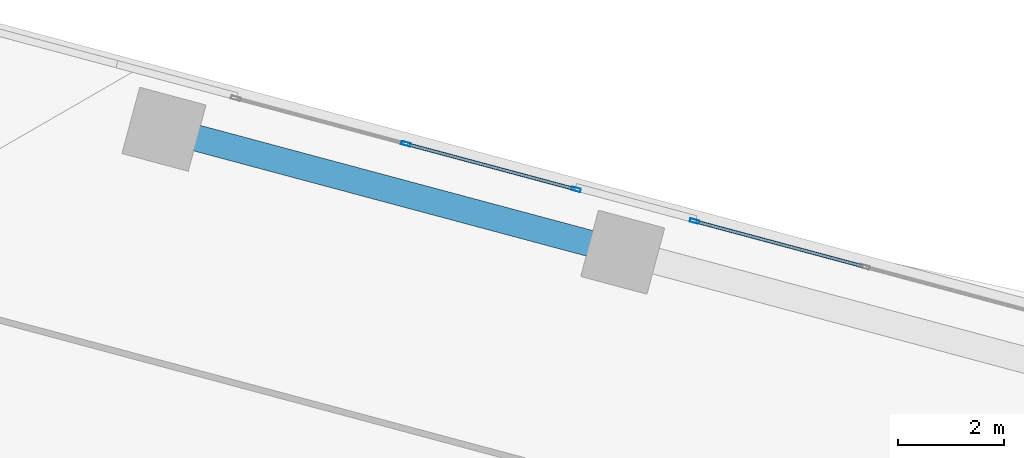
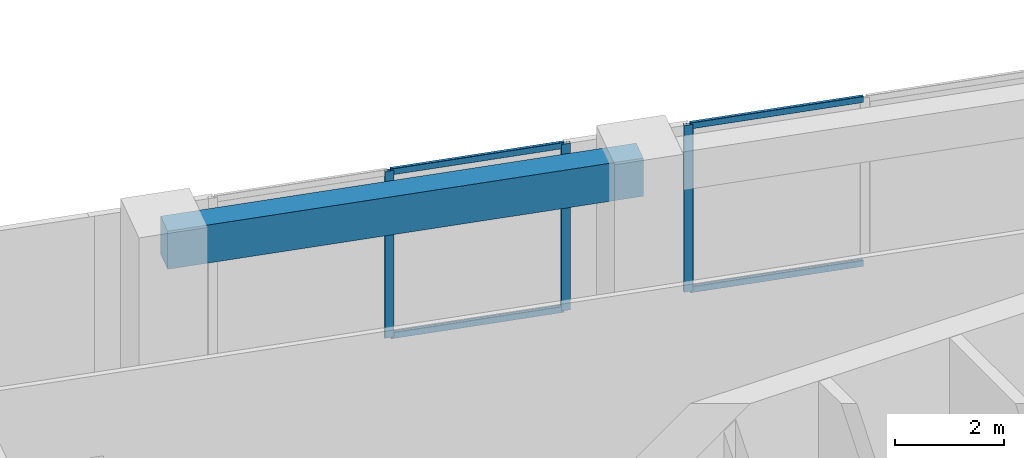
# One storey, part 13 of 26: 7 members, 1 beam, 2 elements without a shape of their own.
"""IFC4 building model written with IfcOpenShell, lengths in metres."""

from ifc_helpers import new_model, si_unit, direction, frame, origin, origin_2d, place, context, subcontext, project, spatial, rectangle, hollow_rectangle, extrude, source, transform, mapped, material, material_profile, profile_set, type_object, element, aggregate, save


model = new_model("IFC4")

# Units and contexts
model_context = context("Model", 3, precision=1e-05, world=origin(), true_north=direction((0.0, 1.0)))
body_context = subcontext(model_context, "Body", "Model", "MODEL_VIEW")
ifc_project = project(units=[si_unit("LENGTHUNIT", "METRE"), si_unit("AREAUNIT", "SQUARE_METRE"), si_unit("VOLUMEUNIT", "CUBIC_METRE"), si_unit("PLANEANGLEUNIT", "RADIAN"), si_unit("MASSUNIT", "GRAM", prefix="KILO")], contexts=[model_context])

# Site, building, storey
site_placement = place(None, origin())
site = spatial("IfcSite", under=ifc_project, at=site_placement, CompositionType="ELEMENT")
building_placement = place(site_placement, origin())
building = spatial("IfcBuilding", under=site, at=building_placement, Name="Torre Montelarca", CompositionType="ELEMENT")
storey_placement = place(building_placement, frame((0.0, 0.0, 100.0)))
storey = spatial("IfcBuildingStorey", under=building, at=storey_placement, Name="L22", CompositionType="ELEMENT", Elevation=100.0)

# Beam
ifc_material_1 = material(Name="Concrete C55/67", Category="concrete")
ifc_material_profile_1 = material_profile(ifc_material_1, rectangle(XDim=0.5, YDim=0.85009765625, at=origin_2d()), Name="RCB500X850", Category="concrete")
ifc_profile_set_1 = profile_set([ifc_material_profile_1], Name="Concrete C55/67")
beam_type = type_object("IfcBeamType", Name="BM-SP-RC850-EXT", PredefinedType="SPANDREL", material=ifc_profile_set_1)
shared_shape_1 = source(origin(), body_context, "Body", "SweptSolid", [
    extrude(rectangle(XDim=0.5, YDim=0.85009765625, at=origin_2d()), origin(), (0.0, 0.0, 1.0), 9.0),
])
beam_placement = place(storey_placement, frame((13.346923828125, 49.868896484375, 3.534912109375), z_axis=(0.965926740751, -0.25881563226, 0.0), x_axis=(0.25881563226, 0.965926740751, 0.0)))
element("IfcBeam", 1, at=beam_placement, inside=storey, type_object=beam_type, Name="L22 Grid Girder X 9.0-18.0 at Y=47.1", PredefinedType="SPANDREL", context=body_context, shape_type="MappedRepresentation", body=[
    mapped(shared_shape_1, transform((0.0, 0.0, 0.0), scale=1.0)),
])

# Curtain wall, members
ifc_material_2 = material(Name="Insulated low-E laminated glass", Category="glass")
curtain_wall_type = type_object("IfcCurtainWallType", Name="CW-SYS-Z1", PredefinedType="USERDEFINED", material=ifc_material_2)
curtain_wall_1_placement = place(storey_placement, origin())
curtain_wall_1 = element("IfcCurtainWall", 2, at=curtain_wall_1_placement, inside=storey, type_object=curtain_wall_type, Name="L22 Curtain Wall Run CW-T3-L22-E08-B4", ObjectType="UNITISED GLAZING", PredefinedType="USERDEFINED")
ifc_material_3 = material(Name="Anodised aluminium AA 6063-T6", Category="aluminium")
ifc_material_profile_2 = material_profile(ifc_material_3, hollow_rectangle(XDim=0.06494140625, YDim=0.139892578125, WallThickness=0.00390625, InnerFilletRadius=0.00390625, OuterFilletRadius=0.008056640625, at=origin_2d()), Name="ALU65X140X4", Category="aluminium")
ifc_profile_set_2 = profile_set([ifc_material_profile_2], Name="Anodised aluminium AA 6063-T6")
member_type_1 = type_object("IfcMemberType", Name="CWT-ALU140", PredefinedType="USERDEFINED", material=ifc_profile_set_2)
shared_shape_2 = source(origin(), body_context, "Body", "SweptSolid", [
    extrude(hollow_rectangle(XDim=0.06494140625, YDim=0.139892578125, WallThickness=0.00390625, InnerFilletRadius=0.00390625, OuterFilletRadius=0.008056640625, at=origin_2d()), origin(), (0.0, 0.0, 1.0), 3.272705078125),
])
member_1_placement = place(storey_placement, frame((21.124267578125, 48.737548828125, 0.032470703125), z_axis=(-0.965914750052, 0.258860378644, 0.0), x_axis=(-0.258860378644, -0.965914750052, 0.0)))
member_1 = element("IfcMember", 3, at=member_1_placement, type_object=member_type_1, Name="CW transom 1.1", ObjectType="TRANSOM", PredefinedType="USERDEFINED", context=body_context, shape_type="MappedRepresentation", body=[
    mapped(shared_shape_2, transform((0.0, 0.0, 0.0), scale=1.0)),
])
member_2_placement = place(storey_placement, frame((21.124267578125, 48.737548828125, 3.6875), z_axis=(-0.965914750052, 0.258860378644, 0.0), x_axis=(-0.258860378644, -0.965914750052, 0.0)))
member_2 = element("IfcMember", 4, at=member_2_placement, type_object=member_type_1, Name="CW transom 1.2", ObjectType="TRANSOM", PredefinedType="USERDEFINED", context=body_context, shape_type="MappedRepresentation", body=[
    mapped(shared_shape_2, transform((0.0, 0.0, 0.0), scale=1.0)),
])

curtain_wall_2_placement = place(storey_placement, origin())
curtain_wall_2 = element("IfcCurtainWall", 5, at=curtain_wall_2_placement, inside=storey, type_object=curtain_wall_type, Name="L22 Curtain Wall Run CW-T3-L22-E08-B3", ObjectType="UNITISED GLAZING", PredefinedType="USERDEFINED")
shared_shape_3 = source(origin(), body_context, "Body", "SweptSolid", [
    extrude(hollow_rectangle(XDim=0.06494140625, YDim=0.139892578125, WallThickness=0.00390625, InnerFilletRadius=0.00390625, OuterFilletRadius=0.008056640625, at=origin_2d()), origin(), (0.0, 0.0, 1.0), 3.2724609375),
])
member_3_placement = place(storey_placement, frame((26.59375, 47.27197265625, 0.032470703125), z_axis=(-0.965909750694, 0.258879032587, 0.0), x_axis=(-0.258879032587, -0.965909750694, 0.0)))
member_3 = element("IfcMember", 6, at=member_3_placement, type_object=member_type_1, Name="CW transom 2.1", ObjectType="TRANSOM", PredefinedType="USERDEFINED", context=body_context, shape_type="MappedRepresentation", body=[
    mapped(shared_shape_3, transform((0.0, 0.0, 0.0), scale=1.0)),
])
member_4_placement = place(storey_placement, frame((26.59375, 47.27197265625, 3.6875), z_axis=(-0.965909750694, 0.258879032587, 0.0), x_axis=(-0.258879032587, -0.965909750694, 0.0)))
member_4 = element("IfcMember", 7, at=member_4_placement, type_object=member_type_1, Name="CW transom 2.2", ObjectType="TRANSOM", PredefinedType="USERDEFINED", context=body_context, shape_type="MappedRepresentation", body=[
    mapped(shared_shape_3, transform((0.0, 0.0, 0.0), scale=1.0)),
])
ifc_material_profile_3 = material_profile(ifc_material_3, hollow_rectangle(XDim=0.06494140625, YDim=0.179931640625, WallThickness=0.00390625, InnerFilletRadius=0.00390625, OuterFilletRadius=0.008056640625, at=origin_2d()), Name="ALU65X180X4", Category="aluminium")
ifc_profile_set_3 = profile_set([ifc_material_profile_3], Name="Anodised aluminium AA 6063-T6")
member_type_2 = type_object("IfcMemberType", Name="CWM-ALU180", PredefinedType="MULLION", material=ifc_profile_set_3)
shared_shape_4 = source(origin(), body_context, "Body", "SweptSolid", [
    extrude(hollow_rectangle(XDim=0.06494140625, YDim=0.179931640625, WallThickness=0.00390625, InnerFilletRadius=0.00390625, OuterFilletRadius=0.008056640625, at=origin_2d()), origin(), (0.0, 0.0, 1.0), 3.719970703125),
])
member_5_placement = place(storey_placement, frame((23.4013671875, 48.12744140625, 0.0), z_axis=(0.0, 0.0, 1.0), x_axis=(-0.258828786739, -0.965923215973, 0.0)))
member_5 = element("IfcMember", 8, at=member_5_placement, type_object=member_type_2, Name="CW mullion 3", PredefinedType="MULLION", context=body_context, shape_type="MappedRepresentation", body=[
    mapped(shared_shape_4, transform((0.0, 0.0, 0.0), scale=1.0)),
])
aggregate(curtain_wall_2, [member_5, member_3, member_4])

# Member
member_6_placement = place(storey_placement, frame((21.155517578125, 48.729248046875, 0.0), z_axis=(0.0, 0.0, 1.0), x_axis=(-0.258825077437, -0.96592420991, 0.0)))
member_6 = element("IfcMember", 9, at=member_6_placement, type_object=member_type_2, Name="CW mullion 1", PredefinedType="MULLION", context=body_context, shape_type="MappedRepresentation", body=[
    mapped(shared_shape_4, transform((0.0, 0.0, 0.0), scale=1.0)),
])

member_7_placement = place(storey_placement, frame((17.931884765625, 49.593017578125, 0.0), z_axis=(0.0, 0.0, 1.0), x_axis=(-0.258825077437, -0.96592420991, 0.0)))
member_7 = element("IfcMember", 10, at=member_7_placement, type_object=member_type_2, Name="CW mullion 2", PredefinedType="MULLION", context=body_context, shape_type="MappedRepresentation", body=[
    mapped(shared_shape_4, transform((0.0, 0.0, 0.0), scale=1.0)),
])

aggregate(curtain_wall_1, [member_6, member_7, member_1, member_2])

save(model, "model.ifc")
